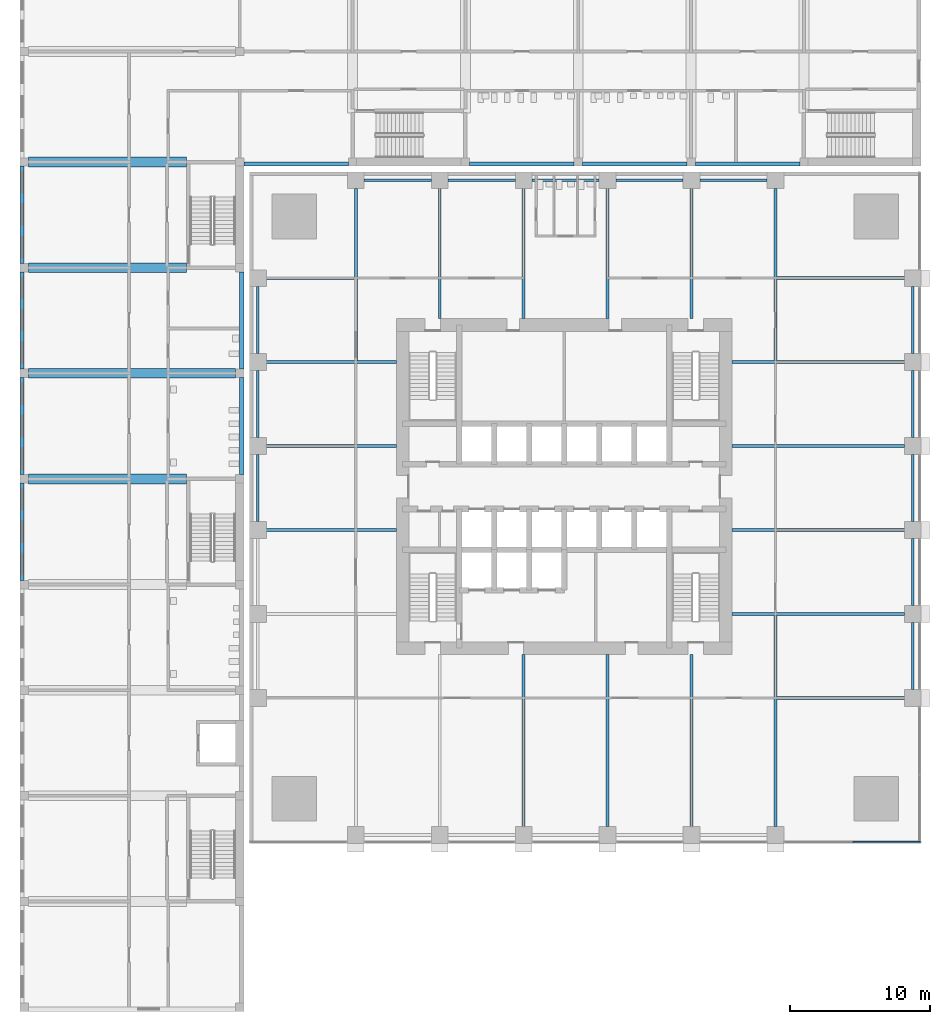
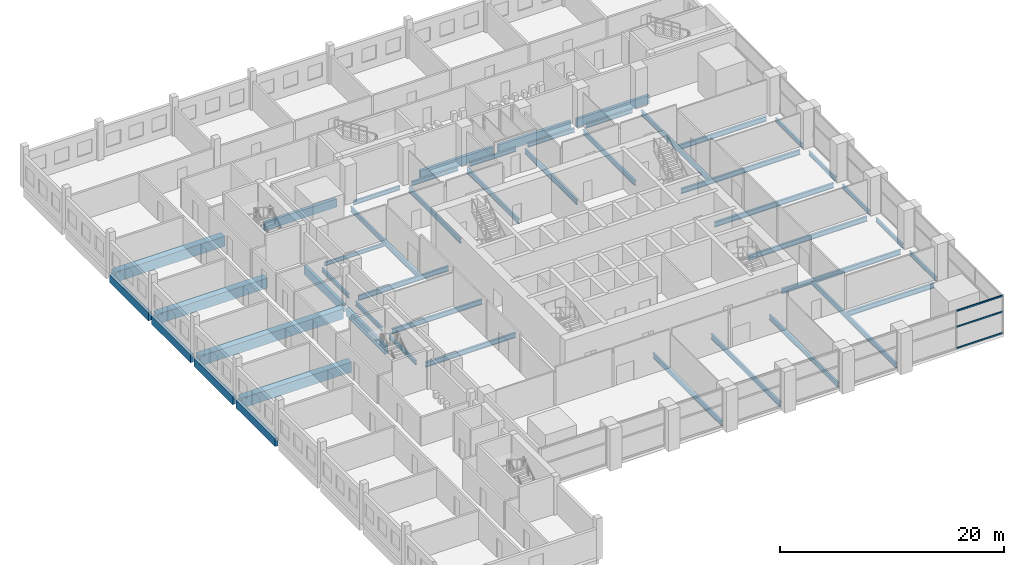
# One storey, part 5 of 25: 47 beams, 3 members, 1 element without a shape of its own.
"""IFC4 building model written with IfcOpenShell, lengths in metres."""

from ifc_helpers import new_model, si_unit, direction, frame, origin, origin_2d, place, context, subcontext, project, spatial, rectangle, i_section, extrude, material, material_profile, profile_set, type_object, element, aggregate, save


model = new_model("IFC4")

# Units and contexts
model_context = context("Model", 3, precision=1e-05, world=origin(), true_north=direction((0.0, 1.0)))
body_context = subcontext(model_context, "Body", "Model", "MODEL_VIEW")
ifc_project = project(units=[si_unit("LENGTHUNIT", "METRE"), si_unit("AREAUNIT", "SQUARE_METRE"), si_unit("VOLUMEUNIT", "CUBIC_METRE"), si_unit("PLANEANGLEUNIT", "RADIAN"), si_unit("MASSUNIT", "GRAM", prefix="KILO")], contexts=[model_context])

# Site, building, storey
site_placement = place(None, origin())
site = spatial("IfcSite", under=ifc_project, at=site_placement, CompositionType="ELEMENT")
building_placement = place(site_placement, origin())
building = spatial("IfcBuilding", under=site, at=building_placement, Name="Amberfall Residences", CompositionType="ELEMENT")
storey_placement = place(building_placement, frame((0.0, 0.0, 10.0)))
storey = spatial("IfcBuildingStorey", under=building, at=storey_placement, Name="L02", CompositionType="ELEMENT", Elevation=10.0)

# Curtain wall, members
ifc_material_1 = material(Name="Bronze anodised aluminium and glass", Category="aluminium")
curtain_wall_type = type_object("IfcCurtainWallType", Name="Curtain wall CW4 podium storefront", PredefinedType="USERDEFINED", material=ifc_material_1)
curtain_wall_placement = place(storey_placement, origin())
curtain_wall = element("IfcCurtainWall", 1, at=curtain_wall_placement, inside=storey, type_object=curtain_wall_type, Name="Storefront L02 S7", ObjectType="UNITISED CURTAIN WALL", PredefinedType="USERDEFINED")
ifc_material_2 = material(Name="Bronze anodised aluminium", Category="aluminium")
ifc_material_profile_1 = material_profile(ifc_material_2, rectangle(XDim=0.1201171875, YDim=0.14990234375, at=origin_2d()), Name="CW4 transom 120 x 150 bronze")
ifc_profile_set_1 = profile_set([ifc_material_profile_1], Name="Bronze anodised aluminium")
member_type = type_object("IfcMemberType", Name="CW4 transom 120 x 150 bronze", PredefinedType="USERDEFINED", material=ifc_profile_set_1)
member_1_placement = place(storey_placement, frame((95.135009765625, 20.10009765625, 0.074951171875), z_axis=(1.0, 0.0, 0.0), x_axis=(0.0, 1.0, 0.0)))
member_1 = element("IfcMember", 2, at=member_1_placement, type_object=member_type, Name="CW4 transom 2.1", ObjectType="TRANSOM", PredefinedType="USERDEFINED", context=body_context, shape_type="SweptSolid", body=[
    extrude(rectangle(XDim=0.1201171875, YDim=0.14990234375, at=origin_2d()), origin(), (0.0, 0.0, 1.0), 4.794921875),
])
member_2_placement = place(storey_placement, frame((95.135009765625, 20.10009765625, 2.39990234375), z_axis=(1.0, 0.0, 0.0), x_axis=(0.0, 1.0, 0.0)))
member_2 = element("IfcMember", 3, at=member_2_placement, type_object=member_type, Name="CW4 transom 2.2", ObjectType="TRANSOM", PredefinedType="USERDEFINED", context=body_context, shape_type="SweptSolid", body=[
    extrude(rectangle(XDim=0.1201171875, YDim=0.14990234375, at=origin_2d()), origin(), (0.0, 0.0, 1.0), 4.794921875),
])
member_3_placement = place(storey_placement, frame((95.135009765625, 20.10009765625, 4.125), z_axis=(1.0, 0.0, 0.0), x_axis=(0.0, 1.0, 0.0)))
member_3 = element("IfcMember", 4, at=member_3_placement, type_object=member_type, Name="CW4 transom 2.3", ObjectType="TRANSOM", PredefinedType="USERDEFINED", context=body_context, shape_type="SweptSolid", body=[
    extrude(rectangle(XDim=0.1201171875, YDim=0.14990234375, at=origin_2d()), origin(), (0.0, 0.0, 1.0), 4.794921875),
])
aggregate(curtain_wall, [member_1, member_2, member_3])

# Beams
ifc_material_3 = material(Name="Steel S355", Category="steel")
ifc_material_profile_2 = material_profile(ifc_material_3, i_section(OverallWidth=0.18994140625, OverallDepth=0.453369140625, WebThickness=0.008544921875, FlangeThickness=0.0126953125, FilletRadius=0.01025390625, at=origin_2d()), Name="UB 457x191x67")
ifc_profile_set_2 = profile_set([ifc_material_profile_2], Name="Steel S355")
beam_type_1 = type_object("IfcBeamType", Name="Edge beam UB 457x191x67", PredefinedType="SPANDREL", material=ifc_profile_set_2)
for number, where, z_axis, x_axis, name in (
    (5, (99.39990234375, 31.0, -0.526611328125), (0.0, 1.0, 0.0), (-1.0, 0.0, 0.0), "Edge beam B1 L02 12"),
    (6, (99.39990234375, 37.0, -0.526611328125), (0.0, 1.0, 0.0), (-1.0, 0.0, 0.0), "Edge beam B1 L02 13"),
    (7, (99.39990234375, 43.0, -0.526611328125), (0.0, 1.0, 0.0), (-1.0, 0.0, 0.0), "Edge beam B1 L02 14"),
    (8, (99.39990234375, 49.0, -0.526611328125), (0.0, 1.0, 0.0), (-1.0, 0.0, 0.0), "Edge beam B1 L02 15"),
    (9, (99.39990234375, 55.0, -0.526611328125), (0.0, 1.0, 0.0), (-1.0, 0.0, 0.0), "Edge beam B1 L02 16"),
    (10, (60.199951171875, 67.39990234375, -0.526611328125), (1.0, 0.0, 0.0), (0.0, 1.0, 0.0), "Edge beam B1 L02 23"),
    (11, (66.199951171875, 67.39990234375, -0.526611328125), (1.0, 0.0, 0.0), (0.0, 1.0, 0.0), "Edge beam B1 L02 24"),
    (12, (72.199951171875, 67.39990234375, -0.526611328125), (1.0, 0.0, 0.0), (0.0, 1.0, 0.0), "Edge beam B1 L02 25"),
    (13, (78.199951171875, 67.39990234375, -0.526611328125), (1.0, 0.0, 0.0), (0.0, 1.0, 0.0), "Edge beam B1 L02 26"),
    (14, (84.199951171875, 67.39990234375, -0.526611328125), (1.0, 0.0, 0.0), (0.0, 1.0, 0.0), "Edge beam B1 L02 27"),
    (15, (52.60009765625, 43.0, -0.526611328125), (0.0, 1.0, 0.0), (-1.0, 0.0, 0.0), "Edge beam B1 L02 36"),
    (16, (52.60009765625, 49.0, -0.526611328125), (0.0, 1.0, 0.0), (-1.0, 0.0, 0.0), "Edge beam B1 L02 37"),
    (17, (52.60009765625, 55.0, -0.526611328125), (0.0, 1.0, 0.0), (-1.0, 0.0, 0.0), "Edge beam B1 L02 38"),
):
    element("IfcBeam", number, at=place(storey_placement, frame(where, z_axis=z_axis, x_axis=x_axis)), inside=storey, type_object=beam_type_1, Name=name, PredefinedType="SPANDREL", context=body_context, shape_type="SweptSolid", body=[
        extrude(i_section(OverallWidth=0.18994140625, OverallDepth=0.453369140625, WebThickness=0.008544921875, FlangeThickness=0.0126953125, FilletRadius=0.01025390625, at=origin_2d()), origin(), (0.0, 0.0, 1.0), 4.800048828125),
    ])
ifc_material_profile_3 = material_profile(ifc_material_3, i_section(OverallWidth=0.177734375, OverallDepth=0.402587890625, WebThickness=0.0078125, FlangeThickness=0.010986328125, FilletRadius=0.01025390625, at=origin_2d()), Name="UB 406x178x54")
ifc_profile_set_3 = profile_set([ifc_material_profile_3], Name="Steel S355")
beam_type_2 = type_object("IfcBeamType", Name="Floor girder UB 406x178x54", PredefinedType="BEAM", material=ifc_profile_set_3)
beam_1_placement = place(storey_placement, frame((53.199951171875, 60.39990234375, -0.501220703125), z_axis=(1.0, 0.0, 0.0), x_axis=(0.0, 1.0, 0.0)))
element("IfcBeam", 18, at=beam_1_placement, inside=storey, type_object=beam_type_2, Name="Floor girder B4 L02 44", PredefinedType="BEAM", context=body_context, shape_type="SweptSolid", body=[
    extrude(i_section(OverallWidth=0.177734375, OverallDepth=0.402587890625, WebThickness=0.0078125, FlangeThickness=0.010986328125, FilletRadius=0.01025390625, at=origin_2d()), origin(), (0.0, 0.0, 1.0), 6.280029296875),
])
ifc_material_profile_4 = material_profile(ifc_material_3, i_section(OverallWidth=0.210693359375, OverallDepth=0.53955078125, WebThickness=0.01171875, FlangeThickness=0.018798828125, FilletRadius=0.0126953125, at=origin_2d()), Name="UB 533x210x109")
ifc_profile_set_4 = profile_set([ifc_material_profile_4], Name="Steel S355")
beam_type_3 = type_object("IfcBeamType", Name="Floor girder UB 533x210x109", PredefinedType="BEAM", material=ifc_profile_set_4)
for number, where, z_axis, x_axis, name in (
    (19, (71.60009765625, 21.199951171875, -0.56982421875), (0.0, 1.0, 0.0), (-1.0, 0.0, 0.0), "Floor girder B2 L02 08"),
    (20, (77.60009765625, 21.199951171875, -0.56982421875), (0.0, 1.0, 0.0), (-1.0, 0.0, 0.0), "Floor girder B2 L02 09"),
    (21, (83.60009765625, 21.199951171875, -0.56982421875), (0.0, 1.0, 0.0), (-1.0, 0.0, 0.0), "Floor girder B2 L02 10"),
):
    element("IfcBeam", number, at=place(storey_placement, frame(where, z_axis=z_axis, x_axis=x_axis)), inside=storey, type_object=beam_type_3, Name=name, PredefinedType="BEAM", context=body_context, shape_type="SweptSolid", body=[
        extrude(i_section(OverallWidth=0.210693359375, OverallDepth=0.53955078125, WebThickness=0.01171875, FlangeThickness=0.018798828125, FilletRadius=0.0126953125, at=origin_2d()), origin(), (0.0, 0.0, 1.0), 12.300048828125),
    ])
beam_2_placement = place(storey_placement, frame((89.60009765625, 21.199951171875, -0.56982421875), z_axis=(0.0, 1.0, 0.0), x_axis=(-1.0, 0.0, 0.0)))
element("IfcBeam", 22, at=beam_2_placement, inside=storey, type_object=beam_type_3, Name="Floor girder B2 L02 11", PredefinedType="BEAM", context=body_context, shape_type="SweptSolid", body=[
    extrude(i_section(OverallWidth=0.210693359375, OverallDepth=0.53955078125, WebThickness=0.01171875, FlangeThickness=0.018798828125, FilletRadius=0.0126953125, at=origin_2d()), origin(), (0.0, 0.0, 1.0), 15.099609375),
])
for number, where, z_axis, x_axis, name in (
    (23, (98.800048828125, 36.39990234375, -0.56982421875), (-1.0, 0.0, 0.0), (0.0, -1.0, 0.0), "Floor girder B2 L02 18"),
    (24, (98.800048828125, 42.39990234375, -0.56982421875), (-1.0, 0.0, 0.0), (0.0, -1.0, 0.0), "Floor girder B2 L02 19"),
    (25, (98.800048828125, 48.39990234375, -0.56982421875), (-1.0, 0.0, 0.0), (0.0, -1.0, 0.0), "Floor girder B2 L02 20"),
    (26, (98.800048828125, 54.39990234375, -0.56982421875), (-1.0, 0.0, 0.0), (0.0, -1.0, 0.0), "Floor girder B2 L02 21"),
):
    element("IfcBeam", number, at=place(storey_placement, frame(where, z_axis=z_axis, x_axis=x_axis)), inside=storey, type_object=beam_type_3, Name=name, PredefinedType="BEAM", context=body_context, shape_type="SweptSolid", body=[
        extrude(i_section(OverallWidth=0.210693359375, OverallDepth=0.53955078125, WebThickness=0.01171875, FlangeThickness=0.018798828125, FilletRadius=0.0126953125, at=origin_2d()), origin(), (0.0, 0.0, 1.0), 12.300048828125),
    ])
beam_3_placement = place(storey_placement, frame((59.60009765625, 66.800048828125, -0.56982421875), z_axis=(0.0, -1.0, 0.0), x_axis=(1.0, 0.0, 0.0)))
element("IfcBeam", 27, at=beam_3_placement, inside=storey, type_object=beam_type_3, Name="Floor girder B2 L02 28", PredefinedType="BEAM", context=body_context, shape_type="SweptSolid", body=[
    extrude(i_section(OverallWidth=0.210693359375, OverallDepth=0.53955078125, WebThickness=0.01171875, FlangeThickness=0.018798828125, FilletRadius=0.0126953125, at=origin_2d()), origin(), (0.0, 0.0, 1.0), 12.300537109375),
])
beam_4_placement = place(storey_placement, frame((89.60009765625, 66.800048828125, -0.56982421875), z_axis=(0.0, -1.0, 0.0), x_axis=(1.0, 0.0, 0.0)))
element("IfcBeam", 28, at=beam_4_placement, inside=storey, type_object=beam_type_3, Name="Floor girder B2 L02 33", PredefinedType="BEAM", context=body_context, shape_type="SweptSolid", body=[
    extrude(i_section(OverallWidth=0.210693359375, OverallDepth=0.53955078125, WebThickness=0.01171875, FlangeThickness=0.018798828125, FilletRadius=0.0126953125, at=origin_2d()), origin(), (0.0, 0.0, 1.0), 12.299560546875),
])
ifc_material_profile_5 = material_profile(ifc_material_3, i_section(OverallWidth=0.209228515625, OverallDepth=0.533203125, WebThickness=0.010009765625, FlangeThickness=0.015625, FilletRadius=0.0126953125, at=origin_2d()), Name="UB 533x210x92")
ifc_profile_set_5 = profile_set([ifc_material_profile_5], Name="Steel S355")
beam_type_4 = type_object("IfcBeamType", Name="Floor girder UB 533x210x92", PredefinedType="BEAM", material=ifc_profile_set_5)
for number, where, z_axis, x_axis, name in (
    (29, (98.800048828125, 30.39990234375, -0.566650390625), (-1.0, 0.0, 0.0), (0.0, -1.0, 0.0), "Floor girder B3 L02 17"),
    (30, (98.800048828125, 60.39990234375, -0.566650390625), (-1.0, 0.0, 0.0), (0.0, -1.0, 0.0), "Floor girder B3 L02 22"),
):
    element("IfcBeam", number, at=place(storey_placement, frame(where, z_axis=z_axis, x_axis=x_axis)), inside=storey, type_object=beam_type_4, Name=name, PredefinedType="BEAM", context=body_context, shape_type="SweptSolid", body=[
        extrude(i_section(OverallWidth=0.209228515625, OverallDepth=0.533203125, WebThickness=0.010009765625, FlangeThickness=0.015625, FilletRadius=0.0126953125, at=origin_2d()), origin(), (0.0, 0.0, 1.0), 9.080078125),
    ])
for number, where, z_axis, x_axis, name in (
    (31, (65.60009765625, 66.800048828125, -0.566650390625), (0.0, -1.0, 0.0), (1.0, 0.0, 0.0), "Floor girder B3 L02 29"),
    (32, (71.60009765625, 66.800048828125, -0.566650390625), (0.0, -1.0, 0.0), (1.0, 0.0, 0.0), "Floor girder B3 L02 30"),
    (33, (77.60009765625, 66.800048828125, -0.566650390625), (0.0, -1.0, 0.0), (1.0, 0.0, 0.0), "Floor girder B3 L02 31"),
    (34, (83.60009765625, 66.800048828125, -0.566650390625), (0.0, -1.0, 0.0), (1.0, 0.0, 0.0), "Floor girder B3 L02 32"),
    (35, (53.199951171875, 42.39990234375, -0.566650390625), (1.0, 0.0, 0.0), (0.0, 1.0, 0.0), "Floor girder B3 L02 41"),
    (36, (53.199951171875, 48.39990234375, -0.566650390625), (1.0, 0.0, 0.0), (0.0, 1.0, 0.0), "Floor girder B3 L02 42"),
    (37, (53.199951171875, 54.39990234375, -0.566650390625), (1.0, 0.0, 0.0), (0.0, 1.0, 0.0), "Floor girder B3 L02 43"),
):
    element("IfcBeam", number, at=place(storey_placement, frame(where, z_axis=z_axis, x_axis=x_axis)), inside=storey, type_object=beam_type_4, Name=name, PredefinedType="BEAM", context=body_context, shape_type="SweptSolid", body=[
        extrude(i_section(OverallWidth=0.209228515625, OverallDepth=0.533203125, WebThickness=0.010009765625, FlangeThickness=0.015625, FilletRadius=0.0126953125, at=origin_2d()), origin(), (0.0, 0.0, 1.0), 9.300048828125),
    ])
ifc_material_4 = material(Name="Concrete C40", Category="concrete")
ifc_material_profile_6 = material_profile(ifc_material_4, rectangle(XDim=0.699951171875, YDim=1.10009765625, at=origin_2d()), Name="School beam 700 x 1100 C40")
ifc_profile_set_6 = profile_set([ifc_material_profile_6], Name="Concrete C40")
beam_type_5 = type_object("IfcBeamType", Name="School beam 700 x 1100 C40", PredefinedType="BEAM", material=ifc_profile_set_6)
beam_5_placement = place(storey_placement, frame((36.199951171875, 46.050048828125, -0.85009765625), z_axis=(1.0, 0.0, 0.0), x_axis=(0.0, 1.0, 0.0)))
element("IfcBeam", 38, at=beam_5_placement, inside=storey, type_object=beam_type_5, Name="TW5", PredefinedType="BEAM", context=body_context, shape_type="SweptSolid", body=[
    extrude(rectangle(XDim=0.699951171875, YDim=1.10009765625, at=origin_2d()), origin(), (0.0, 0.0, 1.0), 11.300048828125),
])
beam_6_placement = place(storey_placement, frame((36.199951171875, 53.60009765625, -0.85009765625), z_axis=(1.0, 0.0, 0.0), x_axis=(0.0, 1.0, 0.0)))
element("IfcBeam", 39, at=beam_6_placement, inside=storey, type_object=beam_type_5, Name="TW6", PredefinedType="BEAM", context=body_context, shape_type="SweptSolid", body=[
    extrude(rectangle(XDim=0.699951171875, YDim=1.10009765625, at=origin_2d()), origin(), (0.0, 0.0, 1.0), 14.800048828125),
])
for number, where, z_axis, x_axis, name in (
    (40, (36.199951171875, 61.14990234375, -0.85009765625), (1.0, 0.0, 0.0), (0.0, 1.0, 0.0), "TW7"),
    (41, (36.199951171875, 68.699951171875, -0.85009765625), (1.0, 0.0, 0.0), (0.0, 1.0, 0.0), "TW8"),
):
    element("IfcBeam", number, at=place(storey_placement, frame(where, z_axis=z_axis, x_axis=x_axis)), inside=storey, type_object=beam_type_5, Name=name, PredefinedType="BEAM", context=body_context, shape_type="SweptSolid", body=[
        extrude(rectangle(XDim=0.699951171875, YDim=1.10009765625, at=origin_2d()), origin(), (0.0, 0.0, 1.0), 11.300048828125),
    ])
ifc_material_profile_7 = material_profile(ifc_material_4, rectangle(XDim=0.300048828125, YDim=0.89990234375, at=origin_2d()), Name="School edge beam 300 x 900 C40")
ifc_profile_set_7 = profile_set([ifc_material_profile_7], Name="Concrete C40")
beam_type_6 = type_object("IfcBeamType", Name="School edge beam 300 x 900 C40", PredefinedType="BEAM", material=ifc_profile_set_7)
for number, where, z_axis, x_axis, name in (
    (42, (35.75, 38.800048828125, -0.75), (0.0, 1.0, 0.0), (-1.0, 0.0, 0.0), "GW4"),
    (43, (35.75, 46.35009765625, -0.75), (0.0, 1.0, 0.0), (-1.0, 0.0, 0.0), "GW5"),
):
    element("IfcBeam", number, at=place(storey_placement, frame(where, z_axis=z_axis, x_axis=x_axis)), inside=storey, type_object=beam_type_6, Name=name, PredefinedType="BEAM", context=body_context, shape_type="SweptSolid", body=[
        extrude(rectangle(XDim=0.300048828125, YDim=0.89990234375, at=origin_2d()), origin(), (0.0, 0.0, 1.0), 6.949951171875),
    ])
beam_7_placement = place(storey_placement, frame((35.75, 53.89990234375, -0.75), z_axis=(0.0, 1.0, 0.0), x_axis=(-1.0, 0.0, 0.0)))
element("IfcBeam", 44, at=beam_7_placement, inside=storey, type_object=beam_type_6, Name="GW6", PredefinedType="BEAM", context=body_context, shape_type="SweptSolid", body=[
    extrude(rectangle(XDim=0.300048828125, YDim=0.89990234375, at=origin_2d()), origin(), (0.0, 0.0, 1.0), 6.9501953125),
])
for number, where, z_axis, x_axis, name in (
    (45, (35.75, 61.449951171875, -0.75), (0.0, 1.0, 0.0), (-1.0, 0.0, 0.0), "GW7"),
    (46, (51.449951171875, 46.35009765625, -0.75), (0.0, 1.0, 0.0), (-1.0, 0.0, 0.0), "GE5"),
):
    element("IfcBeam", number, at=place(storey_placement, frame(where, z_axis=z_axis, x_axis=x_axis)), inside=storey, type_object=beam_type_6, Name=name, PredefinedType="BEAM", context=body_context, shape_type="SweptSolid", body=[
        extrude(rectangle(XDim=0.300048828125, YDim=0.89990234375, at=origin_2d()), origin(), (0.0, 0.0, 1.0), 6.949951171875),
    ])
beam_8_placement = place(storey_placement, frame((51.449951171875, 53.89990234375, -0.75), z_axis=(0.0, 1.0, 0.0), x_axis=(-1.0, 0.0, 0.0)))
element("IfcBeam", 47, at=beam_8_placement, inside=storey, type_object=beam_type_6, Name="GE6", PredefinedType="BEAM", context=body_context, shape_type="SweptSolid", body=[
    extrude(rectangle(XDim=0.300048828125, YDim=0.89990234375, at=origin_2d()), origin(), (0.0, 0.0, 1.0), 6.9501953125),
])
beam_9_placement = place(storey_placement, frame((51.60009765625, 68.550048828125, -0.75), z_axis=(1.0, 0.0, 0.0), x_axis=(0.0, 1.0, 0.0)))
element("IfcBeam", 48, at=beam_9_placement, inside=storey, type_object=beam_type_6, Name="GS0", PredefinedType="BEAM", context=body_context, shape_type="SweptSolid", body=[
    extrude(rectangle(XDim=0.300048828125, YDim=0.89990234375, at=origin_2d()), origin(), (0.0, 0.0, 1.0), 7.466796875),
])
for number, where, z_axis, x_axis, name in (
    (49, (67.73291015625, 68.550048828125, -0.75), (1.0, 0.0, 0.0), (0.0, 1.0, 0.0), "GS2"),
    (50, (75.800048828125, 68.550048828125, -0.75), (1.0, 0.0, 0.0), (0.0, 1.0, 0.0), "GS3"),
):
    element("IfcBeam", number, at=place(storey_placement, frame(where, z_axis=z_axis, x_axis=x_axis)), inside=storey, type_object=beam_type_6, Name=name, PredefinedType="BEAM", context=body_context, shape_type="SweptSolid", body=[
        extrude(rectangle(XDim=0.300048828125, YDim=0.89990234375, at=origin_2d()), origin(), (0.0, 0.0, 1.0), 7.467041015625),
    ])
beam_10_placement = place(storey_placement, frame((83.866943359375, 68.550048828125, -0.75), z_axis=(1.0, 0.0, 0.0), x_axis=(0.0, 1.0, 0.0)))
element("IfcBeam", 51, at=beam_10_placement, inside=storey, type_object=beam_type_6, Name="GS4", PredefinedType="BEAM", context=body_context, shape_type="SweptSolid", body=[
    extrude(rectangle(XDim=0.300048828125, YDim=0.89990234375, at=origin_2d()), origin(), (0.0, 0.0, 1.0), 7.466064453125),
])

save(model, "model.ifc")
